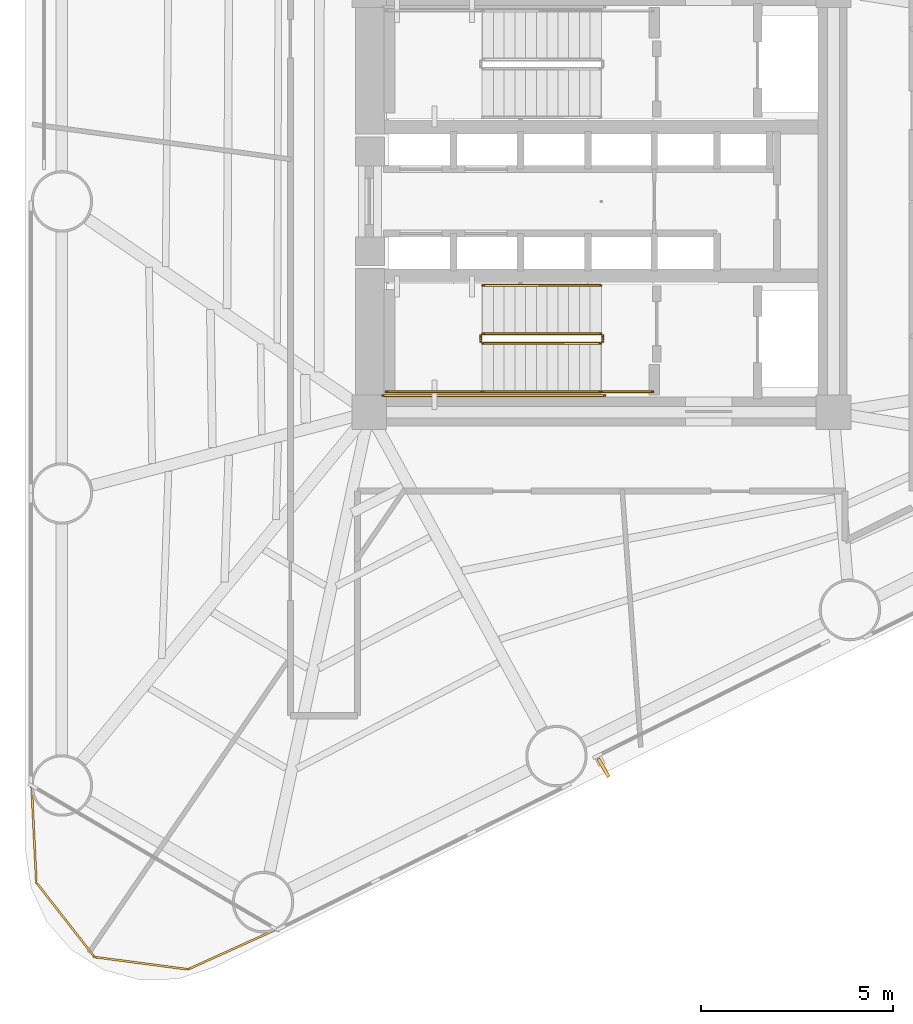
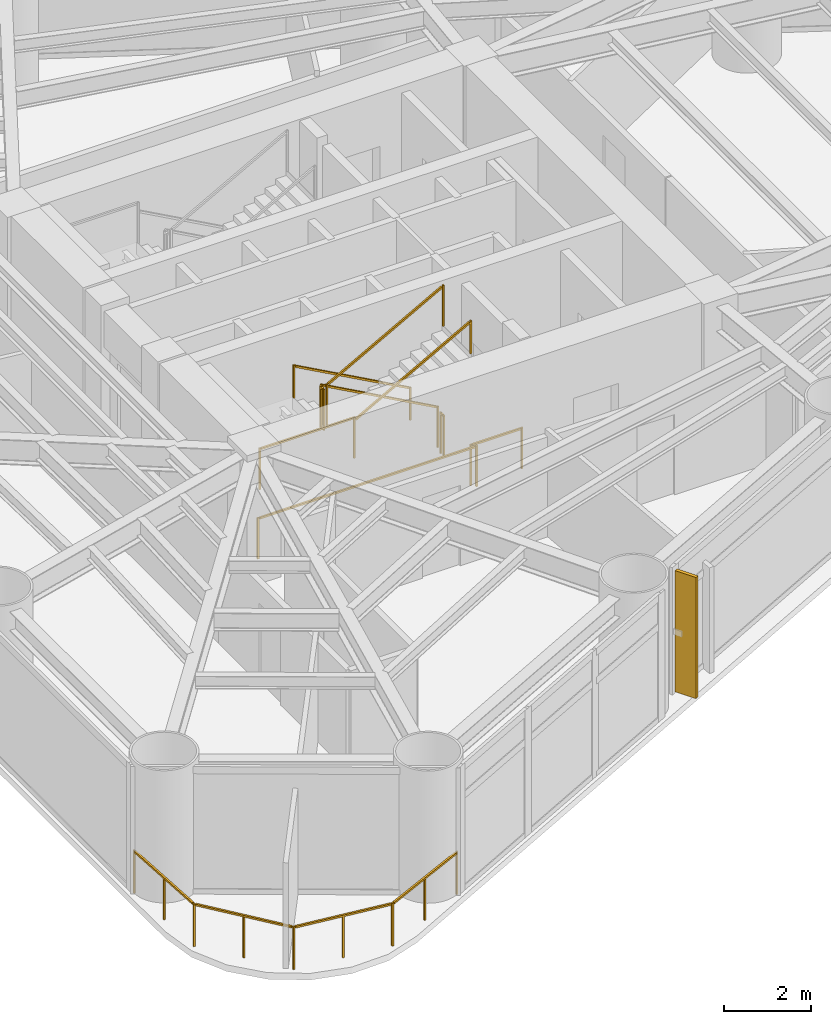
# One storey, part 8 of 10: 10 railings, 1 shading device.
"""IFC4 building model written with IfcOpenShell, lengths in metres."""

import ifcopenshell
import ifcopenshell.guid

model = None  # the IFC model being written
_history = None  # IfcOwnerHistory: only IFC2X3 demands one
_inside = {}  # id of a spatial element -> (the spatial element, [elements in it])
_under = {}  # id of a project, library or spatial element -> (it, [spatial elements below it])
_declared = {}  # id of a project -> (the project, [libraries it declares])
_typed = {}  # id of a type object -> (the type object, [elements of that type])
_made_of = {}  # id of a material, layer set ... -> (it, [elements and type objects made of it])


def new_model(schema):
    """Start an empty IFC model of exactly this schema.

    Asked for "IFC4X3", IfcOpenShell would pick the latest addendum, in which some entities
    have other attributes; the version numbers below select the first issue.
    IFC2X3 requires an IfcOwnerHistory on every rooted entity: one is made here for all.
    """
    global model, _history
    if schema == "IFC4X3":
        model = ifcopenshell.file(schema_version=(4, 3, 0, 0))
    else:
        model = ifcopenshell.file(schema=schema)
    _inside.clear()
    _under.clear()
    _declared.clear()
    _typed.clear()
    _made_of.clear()
    _history = None
    if model.schema == "IFC2X3":
        org = make("IfcOrganization", Name="unknown")
        user = make(
            "IfcPersonAndOrganization",
            ThePerson=make("IfcPerson", FamilyName="unknown"),
            TheOrganization=org,
        )
        app = make(
            "IfcApplication",
            ApplicationDeveloper=org,
            Version="unknown",
            ApplicationFullName="unknown",
            ApplicationIdentifier="unknown",
        )
        _history = make(
            "IfcOwnerHistory",
            OwningUser=user,
            OwningApplication=app,
            ChangeAction="ADDED",
            CreationDate=0,
        )
    return model


def make(cls, **values):
    """One entity of the class cls with the attributes given. An attribute that is None is left unset."""
    return model.create_entity(
        cls, **{name: value for name, value in values.items() if value is not None}
    )


def rooted(cls, **values):
    """An entity with a GlobalId (a new one), such as an element, a storey or a relation."""
    return make(cls, GlobalId=ifcopenshell.guid.new(), OwnerHistory=_history, **values)


def si_unit(unit_type, name, prefix=None):
    """IfcSIUnit, for example si_unit("LENGTHUNIT", "METRE", prefix="MILLI")."""
    return make("IfcSIUnit", UnitType=unit_type, Prefix=prefix, Name=name)


def assignment(units):
    """IfcUnitAssignment: the units of a project."""
    return None if units is None else make("IfcUnitAssignment", Units=units)


def point(xyz):
    """IfcCartesianPoint."""
    return None if xyz is None else make("IfcCartesianPoint", Coordinates=xyz)


def direction(xyz):
    """IfcDirection."""
    return None if xyz is None else make("IfcDirection", DirectionRatios=xyz)


def frame(location, z_axis=None, x_axis=None):
    """IfcAxis2Placement3D, a coordinate frame: its origin and axes. An axis left out is left unset."""
    return make(
        "IfcAxis2Placement3D",
        Location=point(location),
        Axis=direction(z_axis),
        RefDirection=direction(x_axis),
    )


def frame_2d(location, x_axis=None):
    """IfcAxis2Placement2D, a coordinate frame in the plane: its origin and x axis."""
    return make(
        "IfcAxis2Placement2D", Location=point(location), RefDirection=direction(x_axis)
    )


def origin():
    """The frame at (0, 0, 0) with its axes left unset."""
    return frame((0.0, 0.0, 0.0))


def origin_2d():
    """The frame at (0, 0) in the plane with its x axis left unset."""
    return frame_2d((0.0, 0.0))


def place(relative_to, where):
    """IfcLocalPlacement: puts the frame where relative to a parent placement (None: the world)."""
    return make(
        "IfcLocalPlacement", PlacementRelTo=relative_to, RelativePlacement=where
    )


def context(
    kind, dimensions, precision=None, world=None, true_north=None, identifier=None
):
    """IfcGeometricRepresentationContext, for example the 3D "Model" context."""
    return make(
        "IfcGeometricRepresentationContext",
        ContextIdentifier=identifier,
        ContextType=kind,
        CoordinateSpaceDimension=dimensions,
        Precision=precision,
        WorldCoordinateSystem=world,
        TrueNorth=true_north,
    )


def subcontext(parent, identifier, kind, view, scale=None):
    """IfcGeometricRepresentationSubContext, for example "Body" below "Model"."""
    return make(
        "IfcGeometricRepresentationSubContext",
        ContextIdentifier=identifier,
        ContextType=kind,
        ParentContext=parent,
        TargetScale=scale,
        TargetView=view,
    )


def project(units=None, contexts=None):
    """IfcProject with its units and contexts."""
    return rooted(
        "IfcProject",
        Name="project",
        RepresentationContexts=contexts,
        UnitsInContext=assignment(units),
    )


def spatial(cls, under=None, at=None, **own):
    """A site, building, storey or space (cls), placed at a placement, below another one or the project."""
    s = rooted(cls, ObjectPlacement=at, **own)
    if under is not None:
        _under.setdefault(under.id(), (under, []))[1].append(s)
    return s


def profile(cls, at=None, kind="AREA", **sizes):
    """A parametric profile (cls). Its sizes go by their IFC names, for example OverallWidth=200.0."""
    return make(cls, ProfileType=kind, Position=at, **sizes)


def rectangle(**sizes):
    """IfcRectangleProfileDef."""
    return profile("IfcRectangleProfileDef", **sizes)


def extrude(swept, where, along, depth):
    """IfcExtrudedAreaSolid: the profile swept, set in the frame where, extruded along a direction by depth."""
    return make(
        "IfcExtrudedAreaSolid",
        SweptArea=swept,
        Position=where,
        ExtrudedDirection=direction(along),
        Depth=depth,
    )


def shape(context_of_items, identifier, shape_type, items):
    """IfcShapeRepresentation: the items that make up one representation, for example the "Body"."""
    return make(
        "IfcShapeRepresentation",
        ContextOfItems=context_of_items,
        RepresentationIdentifier=identifier,
        RepresentationType=shape_type,
        Items=items,
    )


def source(mapping_origin, context_of_items, identifier, shape_type, items):
    """IfcRepresentationMap: a shape defined once, which mapped items show again and again."""
    return make(
        "IfcRepresentationMap",
        MappingOrigin=mapping_origin,
        MappedRepresentation=shape(context_of_items, identifier, shape_type, items),
    )


def transform(
    local_origin,
    x_axis=None,
    y_axis=None,
    z_axis=None,
    scale=None,
    scale2=None,
    scale3=None,
    uniform=True,
):
    """IfcCartesianTransformationOperator3D, or its non-uniform kind. x_axis, y_axis, z_axis: its Axis1, 2, 3."""
    if uniform:
        return make(
            "IfcCartesianTransformationOperator3D",
            Axis1=direction(x_axis),
            Axis2=direction(y_axis),
            LocalOrigin=point(local_origin),
            Scale=scale,
            Axis3=direction(z_axis),
        )
    return make(
        "IfcCartesianTransformationOperator3DnonUniform",
        Axis1=direction(x_axis),
        Axis2=direction(y_axis),
        LocalOrigin=point(local_origin),
        Scale=scale,
        Axis3=direction(z_axis),
        Scale2=scale2,
        Scale3=scale3,
    )


def mapped(mapping_source, mapping_target):
    """IfcMappedItem: shows the shape of a source again, moved by a transform."""
    return make(
        "IfcMappedItem", MappingSource=mapping_source, MappingTarget=mapping_target
    )


def material(Name=None, Category=None):
    """IfcMaterial."""
    return make("IfcMaterial", Name=Name, Category=Category)


def material_profile(
    of_material, cross_section, Name=None, Category=None, Priority=None
):
    """IfcMaterialProfile: a cross section and its material."""
    return make(
        "IfcMaterialProfile",
        Name=Name,
        Material=of_material,
        Profile=cross_section,
        Priority=Priority,
        Category=Category,
    )


def profile_set(profiles, Name=None, composite=None):
    """IfcMaterialProfileSet."""
    return make(
        "IfcMaterialProfileSet",
        Name=Name,
        MaterialProfiles=profiles,
        CompositeProfile=composite,
    )


def made_of(thing, what):
    """Note that an element or type object is made of a material, layer set ...; save() writes the relation."""
    if what is not None:
        _made_of.setdefault(what.id(), (what, []))[1].append(thing)
    return thing


def type_object(cls, material=None, **own):
    """A type object (cls), such as IfcWallType, which elements share."""
    return made_of(rooted(cls, **own), material)


def element(
    cls,
    number,
    at=None,
    inside=None,
    cuts=None,
    type_object=None,
    material=None,
    context=None,
    identifier="Body",
    shape_type=None,
    held_by="IfcProductDefinitionShape",
    body=None,
    shapes=None,
    **own,
):
    """One element of the class cls, such as IfcWall. Its Tag is "e" and its number.

    at: its placement. inside: the storey or other place that contains it. cuts: it is an
    opening in that element (IfcRelVoidsElement). A single representation is given by context,
    identifier, shape_type and body (its items); several are given by shapes. held_by: the class
    of the entity that holds the representations. save() writes the other relations.
    """
    e = rooted(cls, Tag="e%d" % number, ObjectPlacement=at, **own)
    if body is not None:
        shapes = [shape(context, identifier, shape_type, body)]
    if shapes is not None:
        e.Representation = make(held_by, Representations=shapes)
    if inside is not None:
        _inside.setdefault(inside.id(), (inside, []))[1].append(e)
    if cuts is not None:
        rooted(
            "IfcRelVoidsElement", RelatingBuildingElement=cuts, RelatedOpeningElement=e
        )
    if type_object is not None:
        _typed.setdefault(type_object.id(), (type_object, []))[1].append(e)
    return made_of(e, material)


def aggregate(whole, parts):
    """IfcRelAggregates: a whole, such as a stair, and the parts it consists of."""
    return rooted("IfcRelAggregates", RelatingObject=whole, RelatedObjects=parts)


def save(model, path):
    """Write the relations noted so far, then the file.

    IfcRelAggregates (storeys below a building ...), IfcRelContainedInSpatialStructure (elements
    in a storey), IfcRelDefinesByType, IfcRelAssociatesMaterial and IfcRelDeclares: one each for
    every whole, place, type object, material and project.
    """
    for whole, parts in _under.values():
        aggregate(whole, parts)
    for where, things in _inside.values():
        rooted(
            "IfcRelContainedInSpatialStructure",
            RelatedElements=things,
            RelatingStructure=where,
        )
    for kind, things in _typed.values():
        rooted("IfcRelDefinesByType", RelatedObjects=things, RelatingType=kind)
    for what, things in _made_of.values():
        rooted("IfcRelAssociatesMaterial", RelatedObjects=things, RelatingMaterial=what)
    for by, libraries in _declared.values():
        rooted("IfcRelDeclares", RelatingContext=by, RelatedDefinitions=libraries)
    model.write(path)


model = new_model("IFC4")

# Units and contexts
model_context = context("Model", 3, precision=1e-05, world=origin(), true_north=direction((0.0, 1.0)))
body_context = subcontext(model_context, "Body", "Model", "MODEL_VIEW")
ifc_project = project(units=[si_unit("LENGTHUNIT", "METRE"), si_unit("AREAUNIT", "SQUARE_METRE"), si_unit("VOLUMEUNIT", "CUBIC_METRE"), si_unit("PLANEANGLEUNIT", "RADIAN"), si_unit("MASSUNIT", "GRAM", prefix="KILO")], contexts=[model_context])

# Site, building, storey
site_placement = place(None, origin())
site = spatial("IfcSite", under=ifc_project, at=site_placement, CompositionType="ELEMENT")
building_placement = place(site_placement, origin())
building = spatial("IfcBuilding", under=site, at=building_placement, Name="Yunling Apex Tower", CompositionType="ELEMENT")
storey_placement = place(building_placement, frame((0.0, 0.0, 34.89990234375)))
storey = spatial("IfcBuildingStorey", under=building, at=storey_placement, Name="L10", CompositionType="ELEMENT", Elevation=34.89990234375)

# Railings
ifc_material_1 = material(Name="Bronze anodised aluminium", Category="aluminium")
railing_type_1 = type_object("IfcRailingType", Name="RL-BAL-1200", PredefinedType="BALUSTRADE", material=ifc_material_1)
railing_1_placement = place(storey_placement, frame((-8.45947265625, -18.965087890625, 0.0)))
element("IfcRailing", 1, at=railing_1_placement, inside=storey, type_object=railing_type_1, Name="RL-CRNSILL-L10-3", PredefinedType="BALUSTRADE", context=body_context, shape_type="SweptSolid", body=[
    extrude(rectangle(XDim=0.0439453125, YDim=0.0439453125, at=origin_2d()), origin(), (0.0, 0.0, 1.0), 1.199951171875),
    extrude(rectangle(XDim=0.0439453125, YDim=0.0439453125, at=origin_2d()), frame((-2.30712890625, -1.04296875, 0.0)), (0.0, 0.0, 1.0), 1.199951171875),
    extrude(rectangle(XDim=0.050048828125, YDim=0.050048828125, at=origin_2d()), frame((-0.034912109375, -0.015869140625, 1.1748046875), z_axis=(-0.911216522497, -0.411927723186, 0.0), x_axis=(0.411927723186, -0.911216522497, 0.0)), (0.0, 0.0, 1.0), 2.455322265625),
    extrude(rectangle(XDim=0.0439453125, YDim=0.0439453125, at=origin_2d()), frame((-1.153564453125, -0.521484375, 0.0)), (0.0, 0.0, 1.0), 1.14599609375),
    extrude(rectangle(XDim=0.0439453125, YDim=0.0439453125, at=origin_2d()), frame((-4.741943359375, -0.723388671875, 0.0)), (0.0, 0.0, 1.0), 1.199951171875),
    extrude(rectangle(XDim=0.050048828125, YDim=0.050048828125, at=origin_2d()), frame((-2.34521484375, -1.0380859375, 1.1748046875), z_axis=(-0.991495866646, 0.130138182035, 0.0), x_axis=(-0.130138182035, -0.991495866646, 0.0)), (0.0, 0.0, 1.0), 2.379150390625),
    extrude(rectangle(XDim=0.0439453125, YDim=0.0439453125, at=origin_2d()), frame((-3.5244140625, -0.88330078125, 0.0)), (0.0, 0.0, 1.0), 1.14599609375),
    extrude(rectangle(XDim=0.0439453125, YDim=0.0439453125, at=origin_2d()), frame((-6.258544921875, 1.21826171875, 0.0)), (0.0, 0.0, 1.0), 1.199951171875),
    extrude(rectangle(XDim=0.050048828125, YDim=0.050048828125, at=origin_2d()), frame((-4.765625, -0.693115234375, 1.1748046875), z_axis=(-0.615565197226, 0.788085964832, 0.0), x_axis=(-0.788085964832, -0.615565197226, 0.0)), (0.0, 0.0, 1.0), 2.38720703125),
    extrude(rectangle(XDim=0.0439453125, YDim=0.0439453125, at=origin_2d()), frame((-5.500244140625, 0.24755859375, 0.0)), (0.0, 0.0, 1.0), 1.14599609375),
    extrude(rectangle(XDim=0.0439453125, YDim=0.0439453125, at=origin_2d()), frame((-6.382568359375, 3.74609375, 0.0)), (0.0, 0.0, 1.0), 1.199951171875),
    extrude(rectangle(XDim=0.050048828125, YDim=0.050048828125, at=origin_2d()), frame((-6.260498046875, 1.256591796875, 1.1748046875), z_axis=(-0.049004218115, 0.998798571588, 0.0), x_axis=(-0.998798571588, -0.049004218115, 0.0)), (0.0, 0.0, 1.0), 2.4541015625),
    extrude(rectangle(XDim=0.0439453125, YDim=0.0439453125, at=origin_2d()), frame((-6.320556640625, 2.482177734375, 0.0)), (0.0, 0.0, 1.0), 1.14599609375),
])
ifc_material_2 = material(Name="Steel Q355B", Category="steel")
railing_type_2 = type_object("IfcRailingType", Name="RL-GRD-1150", PredefinedType="GUARDRAIL", material=ifc_material_2)
railing_2_placement = place(storey_placement, frame((-0.010009765625, -3.449951171875, 0.154296875)))
element("IfcRailing", 2, at=railing_2_placement, inside=storey, type_object=railing_type_2, Name="L10 ST-2 stair guard 1", PredefinedType="GUARDRAIL", context=body_context, shape_type="SweptSolid", body=[
    extrude(rectangle(XDim=0.0439453125, YDim=0.0439453125, at=origin_2d()), origin(), (0.0, 0.0, 1.0), 1.14990234375),
    extrude(rectangle(XDim=0.0439453125, YDim=0.0439453125, at=origin_2d()), frame((-3.080078125, 0.0, 1.69580078125)), (0.0, 0.0, 1.0), 1.14990234375),
    extrude(rectangle(XDim=0.050048828125, YDim=0.050048828125, at=origin_2d()), frame((-0.03369140625, 0.0, 1.143310546875), z_axis=(-0.876004717809, 0.0, 0.482302534076), x_axis=(0.0, -1.0, 0.0)), (0.0, 0.0, 1.0), 3.439453125),
])
railing_3_placement = place(storey_placement, frame((-3.139892578125, -3.5, 1.85009765625)))
element("IfcRailing", 3, at=railing_3_placement, inside=storey, type_object=railing_type_2, Name="L10 ST-2 stair guard 2", PredefinedType="GUARDRAIL", context=body_context, shape_type="SweptSolid", body=[
    extrude(rectangle(XDim=0.0439453125, YDim=0.0439453125, at=origin_2d()), origin(), (0.0, 0.0, 1.0), 1.14990234375),
    extrude(rectangle(XDim=0.0439453125, YDim=0.0439453125, at=origin_2d()), frame((0.0, -0.14990234375, 0.0)), (0.0, 0.0, 1.0), 1.14990234375),
    extrude(rectangle(XDim=0.050048828125, YDim=0.050048828125, at=origin_2d()), frame((0.0, -0.038330078125, 1.125), z_axis=(0.0, -1.0, 0.0), x_axis=(1.0, 0.0, 0.0)), (0.0, 0.0, 1.0), 0.0732421875),
])
railing_4_placement = place(storey_placement, frame((-3.090087890625, -4.9599609375, 1.85009765625)))
element("IfcRailing", 4, at=railing_4_placement, inside=storey, type_object=railing_type_2, Name="L10 ST-2 stair guard 3", PredefinedType="GUARDRAIL", context=body_context, shape_type="SweptSolid", body=[
    extrude(rectangle(XDim=0.0439453125, YDim=0.0439453125, at=origin_2d()), origin(), (0.0, 0.0, 1.0), 1.14990234375),
    extrude(rectangle(XDim=0.0439453125, YDim=0.0439453125, at=origin_2d()), frame((-2.510009765625, 0.0, 0.0)), (0.0, 0.0, 1.0), 1.14990234375),
    extrude(rectangle(XDim=0.050048828125, YDim=0.050048828125, at=origin_2d()), frame((-0.038330078125, 0.0, 1.125), z_axis=(-1.0, 0.0, 0.0), x_axis=(0.0, -1.0, 0.0)), (0.0, 0.0, 1.0), 2.433349609375),
])
railing_5_placement = place(storey_placement, frame((-3.090087890625, -3.699951171875, 2.004150390625)))
element("IfcRailing", 5, at=railing_5_placement, inside=storey, type_object=railing_type_2, Name="L10 ST-2 stair guard 4", PredefinedType="GUARDRAIL", context=body_context, shape_type="SweptSolid", body=[
    extrude(rectangle(XDim=0.0439453125, YDim=0.0439453125, at=origin_2d()), origin(), (0.0, 0.0, 1.0), 1.14990234375),
    extrude(rectangle(XDim=0.0439453125, YDim=0.0439453125, at=origin_2d()), frame((3.080078125, 0.0, 1.696044921875)), (0.0, 0.0, 1.0), 1.14990234375),
    extrude(rectangle(XDim=0.050048828125, YDim=0.050048828125, at=origin_2d()), frame((0.03369140625, 0.0, 1.143310546875), z_axis=(0.875975380505, 0.0, 0.482355815502), x_axis=(0.0, 1.0, 0.0)), (0.0, 0.0, 1.0), 3.439453125),
])
railing_6_placement = place(storey_placement, frame((0.0400390625, -3.5, 0.0)))
element("IfcRailing", 6, at=railing_6_placement, inside=storey, type_object=railing_type_2, Name="L10 ST-2 stair guard 5", PredefinedType="GUARDRAIL", context=body_context, shape_type="SweptSolid", body=[
    extrude(rectangle(XDim=0.0439453125, YDim=0.0439453125, at=origin_2d()), origin(), (0.0, 0.0, 1.0), 1.14990234375),
    extrude(rectangle(XDim=0.0439453125, YDim=0.0439453125, at=origin_2d()), frame((0.0, -0.14990234375, 0.0)), (0.0, 0.0, 1.0), 1.14990234375),
    extrude(rectangle(XDim=0.050048828125, YDim=0.050048828125, at=origin_2d()), frame((0.0, -0.038330078125, 1.125), z_axis=(0.0, -1.0, 0.0), x_axis=(1.0, 0.0, 0.0)), (0.0, 0.0, 1.0), 0.0732421875),
])
railing_7_placement = place(storey_placement, frame((1.35009765625, -4.9599609375, 0.0)))
element("IfcRailing", 7, at=railing_7_placement, inside=storey, type_object=railing_type_2, Name="L10 ST-2 stair guard 6", PredefinedType="GUARDRAIL", context=body_context, shape_type="SweptSolid", body=[
    extrude(rectangle(XDim=0.0439453125, YDim=0.0439453125, at=origin_2d()), origin(), (0.0, 0.0, 1.0), 1.14990234375),
    extrude(rectangle(XDim=0.0439453125, YDim=0.0439453125, at=origin_2d()), frame((-1.360107421875, 0.0, 0.0)), (0.0, 0.0, 1.0), 1.14990234375),
    extrude(rectangle(XDim=0.050048828125, YDim=0.050048828125, at=origin_2d()), frame((-0.038330078125, 0.0, 1.125), z_axis=(-1.0, 0.0, 0.0), x_axis=(0.0, -1.0, 0.0)), (0.0, 0.0, 1.0), 1.283447265625),
])
railing_8_placement = place(storey_placement, frame((0.090087890625, -5.06005859375, 0.0)))
element("IfcRailing", 8, at=railing_8_placement, inside=storey, type_object=railing_type_2, Name="L10 ST-2 stair guard 7", PredefinedType="GUARDRAIL", context=body_context, shape_type="SweptSolid", body=[
    extrude(rectangle(XDim=0.0439453125, YDim=0.0439453125, at=origin_2d()), origin(), (0.0, 0.0, 1.0), 1.14990234375),
    extrude(rectangle(XDim=0.0439453125, YDim=0.0439453125, at=origin_2d()), frame((-5.7900390625, 0.0, 0.0)), (0.0, 0.0, 1.0), 1.14990234375),
    extrude(rectangle(XDim=0.050048828125, YDim=0.050048828125, at=origin_2d()), frame((-0.038330078125, 0.0, 1.125), z_axis=(-1.0, 0.0, 0.0), x_axis=(0.0, -1.0, 0.0)), (0.0, 0.0, 1.0), 5.71337890625),
])
ifc_material_3 = material(Name="Silver anodised aluminium", Category="aluminium")
railing_type_3 = type_object("IfcRailingType", Name="RL-HND-900", PredefinedType="HANDRAIL", material=ifc_material_3)
railing_9_placement = place(storey_placement, frame((-0.010009765625, -2.18994140625, 0.154296875)))
element("IfcRailing", 9, at=railing_9_placement, inside=storey, type_object=railing_type_3, Name="L10 ST-2 stair handrail 1", PredefinedType="HANDRAIL", context=body_context, shape_type="SweptSolid", body=[
    extrude(rectangle(XDim=0.0439453125, YDim=0.0439453125, at=origin_2d()), origin(), (0.0, 0.0, 1.0), 0.919921875),
    extrude(rectangle(XDim=0.0439453125, YDim=0.0439453125, at=origin_2d()), frame((-3.080078125, 0.0, 1.69580078125)), (0.0, 0.0, 1.0), 0.919921875),
    extrude(rectangle(XDim=0.050048828125, YDim=0.050048828125, at=origin_2d()), frame((-0.03369140625, 0.0, 0.913330078125), z_axis=(-0.876004717809, 0.0, 0.482302534076), x_axis=(0.0, -1.0, 0.0)), (0.0, 0.0, 1.0), 3.439453125),
])
railing_10_placement = place(storey_placement, frame((-3.090087890625, -4.9599609375, 2.004150390625)))
element("IfcRailing", 10, at=railing_10_placement, inside=storey, type_object=railing_type_3, Name="L10 ST-2 stair handrail 2", PredefinedType="HANDRAIL", context=body_context, shape_type="SweptSolid", body=[
    extrude(rectangle(XDim=0.0439453125, YDim=0.0439453125, at=origin_2d()), origin(), (0.0, 0.0, 1.0), 0.919921875),
    extrude(rectangle(XDim=0.0439453125, YDim=0.0439453125, at=origin_2d()), frame((3.080078125, 0.0, 1.696044921875)), (0.0, 0.0, 1.0), 0.919921875),
    extrude(rectangle(XDim=0.050048828125, YDim=0.050048828125, at=origin_2d()), frame((0.03369140625, 0.0, 0.913330078125), z_axis=(0.875975380505, 0.0, 0.482355815502), x_axis=(0.0, 1.0, 0.0)), (0.0, 0.0, 1.0), 3.439453125),
])

# Shading device
ifc_material_profile = material_profile(ifc_material_1, rectangle(XDim=0.0849609375, YDim=0.550048828125, at=origin_2d()))
ifc_profile_set = profile_set([ifc_material_profile], Name="Bronze anodised aluminium")
shading_device_type = type_object("IfcShadingDeviceType", Name="FN-BRZ-3", PredefinedType="USERDEFINED", material=ifc_profile_set)
shared_shape = source(origin(), body_context, "Body", "SweptSolid", [
    extrude(rectangle(XDim=0.0849609375, YDim=0.550048828125, at=origin_2d()), origin(), (0.0, 0.0, 1.0), 3.39501953125),
])
shading_device_placement = place(storey_placement, frame((0.0576171875, -14.75390625, 0.06005859375), z_axis=(0.0, 0.0, 1.0), x_axis=(0.864186995248, 0.503170783377, 0.0)))
element("IfcShadingDevice", 11, at=shading_device_placement, inside=storey, type_object=shading_device_type, Name="CW-L10-F1-B2-FIN-01", ObjectType="FIN", PredefinedType="USERDEFINED", context=body_context, shape_type="MappedRepresentation", body=[
    mapped(shared_shape, transform((0.0, 0.0, 0.0), scale=1.0)),
])

save(model, "model.ifc")
